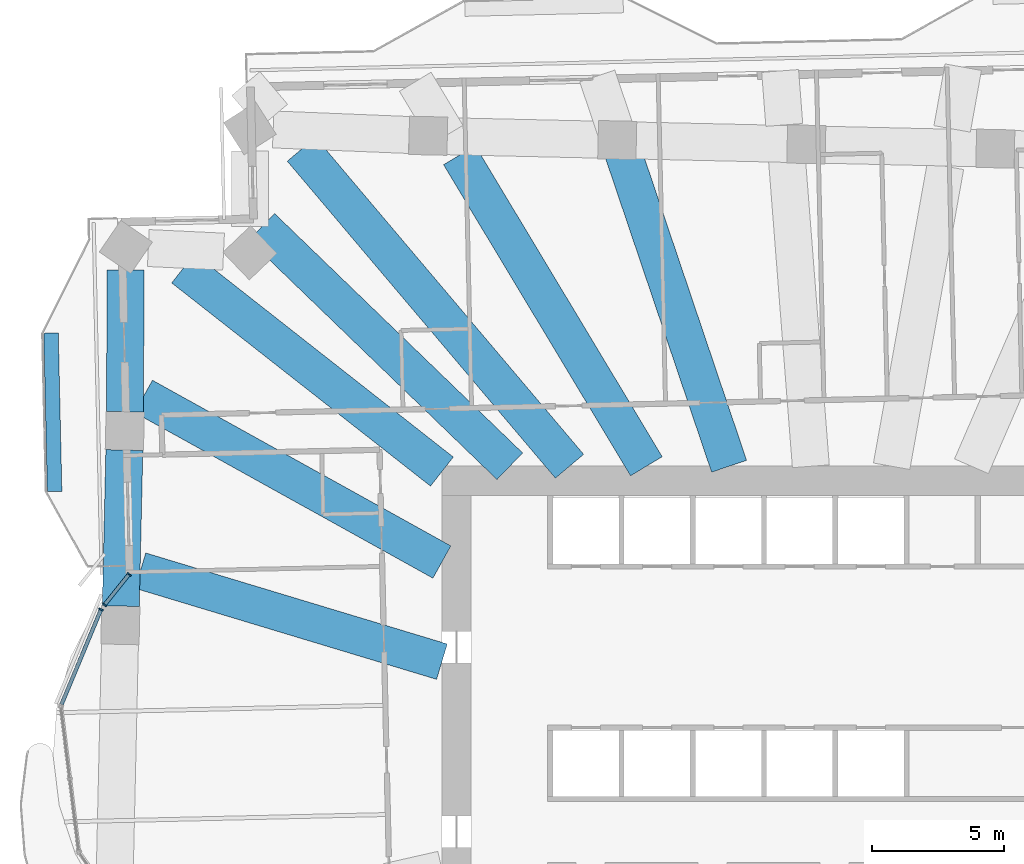
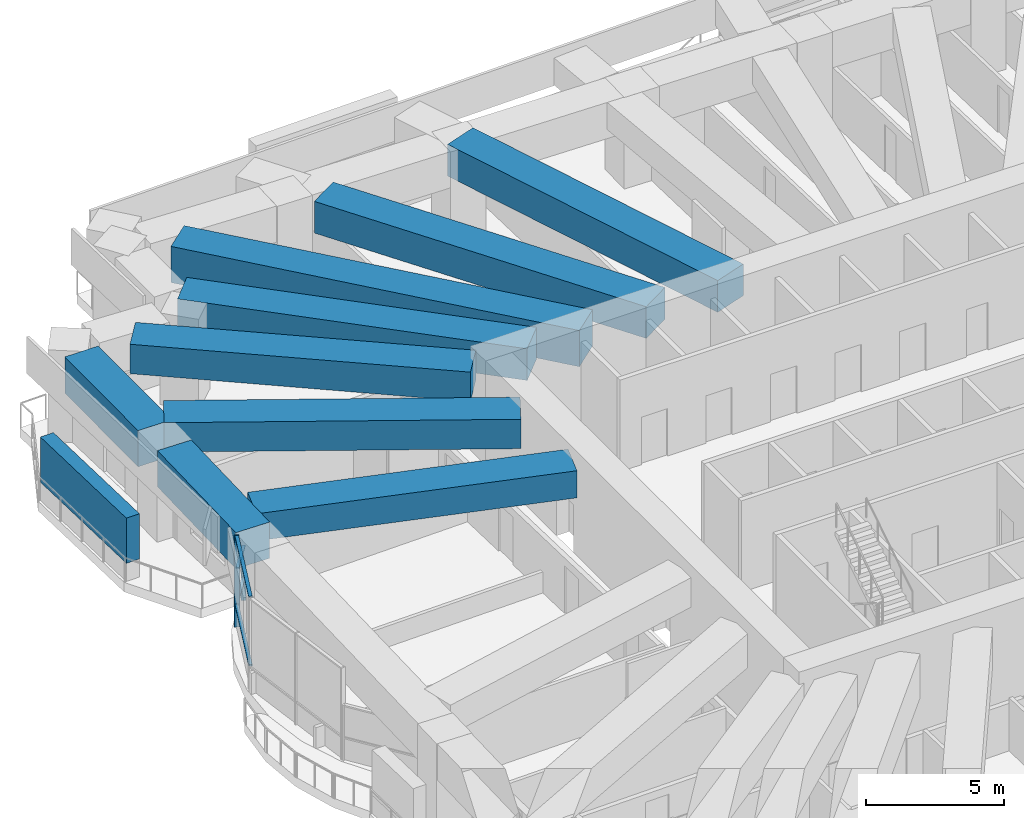
# One storey, part 5 of 20: 9 beams, 8 members, 2 elements without a shape of their own.
"""IFC4 building model written with IfcOpenShell, lengths in metres."""

from ifc_helpers import new_model, si_unit, direction, frame, origin, origin_2d, place, context, subcontext, project, spatial, rectangle, extrude, material, material_profile, profile_set, type_object, element, aggregate, save


model = new_model("IFC4")

# Units and contexts
model_context = context("Model", 3, precision=1e-05, world=origin(), true_north=direction((0.0, 1.0)))
body_context = subcontext(model_context, "Body", "Model", "MODEL_VIEW")
ifc_project = project(units=[si_unit("LENGTHUNIT", "METRE"), si_unit("AREAUNIT", "SQUARE_METRE"), si_unit("VOLUMEUNIT", "CUBIC_METRE"), si_unit("PLANEANGLEUNIT", "RADIAN"), si_unit("MASSUNIT", "GRAM", prefix="KILO")], contexts=[model_context])

# Site, building, storey
site_placement = place(None, origin())
site = spatial("IfcSite", under=ifc_project, at=site_placement, CompositionType="ELEMENT")
building_placement = place(site_placement, origin())
building = spatial("IfcBuilding", under=site, at=building_placement, Name="Mangrove Gate Tower", CompositionType="ELEMENT")
storey_placement = place(building_placement, frame((0.0, 0.0, 74.699951171875)))
storey = spatial("IfcBuildingStorey", under=building, at=storey_placement, Name="L18", CompositionType="ELEMENT", Elevation=74.699951171875)

# Member
ifc_material_1 = material(Name="Planting on aluminium trellis", Category="aluminium")
ifc_material_profile_1 = material_profile(ifc_material_1, rectangle(XDim=0.550048828125, YDim=2.0, at=origin_2d()))
ifc_profile_set_1 = profile_set([ifc_material_profile_1], Name="Planting on aluminium trellis")
member_type_1 = type_object("IfcMemberType", Name="Balcony greenery screen 550x2000", PredefinedType="USERDEFINED", material=ifc_profile_set_1)
member_1_placement = place(storey_placement, frame((-29.570068359375, 10.945068359375, 1.800048828125), z_axis=(-0.022665943652, 0.999743094499, 0.0), x_axis=(-0.999743094499, -0.022665943652, 0.0)))
element("IfcMember", 1, at=member_1_placement, inside=storey, type_object=member_type_1, Name="GREEN SCREEN L18 W0.1", ObjectType="PLANTING", PredefinedType="USERDEFINED", context=body_context, shape_type="SweptSolid", body=[
    extrude(rectangle(XDim=0.550048828125, YDim=2.0, at=origin_2d()), origin(), (0.0, 0.0, 1.0), 5.99951171875),
])

# Curtain wall, members
ifc_material_2 = material(Name="Aluminium and glass curtain wall", Category="aluminium")
curtain_wall_type = type_object("IfcCurtainWallType", Name="Sky-lounge glazing wall", PredefinedType="NOTDEFINED", material=ifc_material_2)
curtain_wall_1_placement = place(storey_placement, origin())
curtain_wall_1 = element("IfcCurtainWall", 2, at=curtain_wall_1_placement, inside=storey, type_object=curtain_wall_type, Name="Sky-lounge glazing W9p1f1", PredefinedType="NOTDEFINED")
ifc_material_3 = material(Name="Aluminium alloy 6063-T6", Category="aluminium")
ifc_material_profile_2 = material_profile(ifc_material_3, rectangle(XDim=0.06005859375, YDim=0.179931640625, at=origin_2d()))
ifc_profile_set_2 = profile_set([ifc_material_profile_2], Name="Aluminium alloy 6063-T6")
member_type_2 = type_object("IfcMemberType", Name="Sky-lounge glazing mullion 60x180", PredefinedType="MULLION", material=ifc_profile_set_2)
member_2_placement = place(storey_placement, frame((-26.752197265625, 7.80615234375, 0.0), z_axis=(0.0, 0.0, 1.0), x_axis=(-0.625547939223, -0.780185731562, 0.0)))
member_2 = element("IfcMember", 3, at=member_2_placement, type_object=member_type_2, Name="CWK mullion 1", PredefinedType="MULLION", context=body_context, shape_type="SweptSolid", body=[
    extrude(rectangle(XDim=0.06005859375, YDim=0.179931640625, at=origin_2d()), origin(), (0.0, 0.0, 1.0), 2.449951171875),
])
member_3_placement = place(storey_placement, frame((-27.678955078125, 6.650146484375, 0.0), z_axis=(0.0, 0.0, 1.0), x_axis=(-0.625547939223, -0.780185731562, 0.0)))
member_3 = element("IfcMember", 4, at=member_3_placement, type_object=member_type_2, Name="CWK mullion 2", PredefinedType="MULLION", context=body_context, shape_type="SweptSolid", body=[
    extrude(rectangle(XDim=0.06005859375, YDim=0.179931640625, at=origin_2d()), origin(), (0.0, 0.0, 1.0), 2.449951171875),
])

# Curtain wall, member
curtain_wall_2_placement = place(storey_placement, origin())
curtain_wall_2 = element("IfcCurtainWall", 5, at=curtain_wall_2_placement, inside=storey, type_object=curtain_wall_type, Name="Sky-lounge glazing W9p2f1", PredefinedType="NOTDEFINED")
member_4_placement = place(storey_placement, frame((-27.811767578125, 6.47119140625, 0.0), z_axis=(0.0, 0.0, 1.0), x_axis=(-0.384582843453, -0.923090481221, 0.0)))
member_4 = element("IfcMember", 6, at=member_4_placement, type_object=member_type_2, Name="CWK mullion 1", PredefinedType="MULLION", context=body_context, shape_type="SweptSolid", body=[
    extrude(rectangle(XDim=0.06005859375, YDim=0.179931640625, at=origin_2d()), origin(), (0.0, 0.0, 1.0), 4.050048828125),
])

# Member
ifc_material_4 = material(Name="Aluminium alloy 6063-T6", Category="aluminium")
ifc_material_profile_3 = material_profile(ifc_material_4, rectangle(XDim=0.06005859375, YDim=0.139892578125, at=origin_2d()))
ifc_profile_set_3 = profile_set([ifc_material_profile_3], Name="Aluminium alloy 6063-T6")
member_type_3 = type_object("IfcMemberType", Name="Sky-lounge glazing transom 60x140", PredefinedType="USERDEFINED", material=ifc_profile_set_3)
member_5_placement = place(storey_placement, frame((-26.77099609375, 7.78271484375, 1.0), z_axis=(-0.625490608585, -0.780231695442, 0.0), x_axis=(0.0, 0.0, 1.0)))
member_5 = element("IfcMember", 7, at=member_5_placement, type_object=member_type_3, Name="CWK transom 1.2", ObjectType="TRANSOM", PredefinedType="USERDEFINED", context=body_context, shape_type="SweptSolid", body=[
    extrude(rectangle(XDim=0.06005859375, YDim=0.139892578125, at=origin_2d()), origin(), (0.0, 0.0, 1.0), 1.421630859375),
])

member_6_placement = place(storey_placement, frame((-26.77099609375, 7.78271484375, 2.420166015625), z_axis=(-0.625490608585, -0.780231695442, 0.0), x_axis=(0.0, 0.0, 1.0)))
member_6 = element("IfcMember", 8, at=member_6_placement, type_object=member_type_3, Name="CWK transom 1.3", ObjectType="TRANSOM", PredefinedType="USERDEFINED", context=body_context, shape_type="SweptSolid", body=[
    extrude(rectangle(XDim=0.06005859375, YDim=0.139892578125, at=origin_2d()), origin(), (0.0, 0.0, 1.0), 1.421630859375),
])

aggregate(curtain_wall_1, [member_2, member_3, member_5, member_6])

member_7_placement = place(storey_placement, frame((-27.8232421875, 6.443603515625, 1.0), z_axis=(-0.384579488933, -0.923091878792, 0.0), x_axis=(0.0, 0.0, 1.0)))
member_7 = element("IfcMember", 9, at=member_7_placement, type_object=member_type_3, Name="CWK transom 1.2", ObjectType="TRANSOM", PredefinedType="USERDEFINED", context=body_context, shape_type="SweptSolid", body=[
    extrude(rectangle(XDim=0.06005859375, YDim=0.139892578125, at=origin_2d()), origin(), (0.0, 0.0, 1.0), 3.863525390625),
])

member_8_placement = place(storey_placement, frame((-27.8232421875, 6.443603515625, 4.02001953125), z_axis=(-0.384579488933, -0.923091878792, 0.0), x_axis=(0.0, 0.0, 1.0)))
member_8 = element("IfcMember", 10, at=member_8_placement, type_object=member_type_3, Name="CWK transom 1.3", ObjectType="TRANSOM", PredefinedType="USERDEFINED", context=body_context, shape_type="SweptSolid", body=[
    extrude(rectangle(XDim=0.06005859375, YDim=0.139892578125, at=origin_2d()), origin(), (0.0, 0.0, 1.0), 3.863525390625),
])

aggregate(curtain_wall_2, [member_4, member_7, member_8])

# Beams
ifc_material_5 = material(Name="Concrete C70/85", Category="concrete")
ifc_material_profile_4 = material_profile(ifc_material_5, rectangle(XDim=1.39990234375, YDim=1.199951171875, at=origin_2d()))
ifc_profile_set_4 = profile_set([ifc_material_profile_4], Name="Concrete C70/85")
beam_type_1 = type_object("IfcBeamType", Name="Transfer girder RC 1400x1200 C70/85", PredefinedType="BEAM", material=ifc_profile_set_4)
beam_1_placement = place(storey_placement, frame((-14.89990234375, 4.498046875, 3.449951171875), z_axis=(-0.957328565545, 0.289001760535, 0.0), x_axis=(-0.289001760535, -0.957328565545, 0.0)))
element("IfcBeam", 11, at=beam_1_placement, inside=storey, type_object=beam_type_1, Name="Transfer girder L18 31", PredefinedType="BEAM", context=body_context, shape_type="SweptSolid", body=[
    extrude(rectangle(XDim=1.39990234375, YDim=1.199951171875, at=origin_2d()), origin(), (0.0, 0.0, 1.0), 11.92822265625),
])
ifc_material_6 = material(Name="Concrete C70/85", Category="concrete")
ifc_material_profile_5 = material_profile(ifc_material_6, rectangle(XDim=1.39990234375, YDim=1.300048828125, at=origin_2d()))
ifc_profile_set_5 = profile_set([ifc_material_profile_5], Name="Concrete C70/85")
beam_type_2 = type_object("IfcBeamType", Name="Transfer girder RC 1400x1300 C70/85", PredefinedType="BEAM", material=ifc_profile_set_5)
beam_2_placement = place(storey_placement, frame((-14.89990234375, 11.697998046875, 3.400146484375), z_axis=(-0.78654463737, 0.617533426969, 0.0), x_axis=(-0.617533426969, -0.78654463737, 0.0)))
element("IfcBeam", 12, at=beam_2_placement, inside=storey, type_object=beam_type_2, Name="Transfer girder L18 29", PredefinedType="BEAM", context=body_context, shape_type="SweptSolid", body=[
    extrude(rectangle(XDim=1.39990234375, YDim=1.300048828125, at=origin_2d()), origin(), (0.0, 0.0, 1.0), 12.46337890625),
])
beam_3_placement = place(storey_placement, frame((-14.89990234375, 8.27197265625, 3.400146484375), z_axis=(-0.874314010835, 0.485360701395, 0.0), x_axis=(-0.485360701395, -0.874314010835, 0.0)))
element("IfcBeam", 13, at=beam_3_placement, inside=storey, type_object=beam_type_2, Name="Transfer girder L18 30", PredefinedType="BEAM", context=body_context, shape_type="SweptSolid", body=[
    extrude(rectangle(XDim=1.39990234375, YDim=1.300048828125, at=origin_2d()), origin(), (0.0, 0.0, 1.0), 12.927734375),
])
ifc_material_7 = material(Name="Concrete C70/85", Category="concrete")
ifc_material_profile_6 = material_profile(ifc_material_7, rectangle(XDim=1.39990234375, YDim=1.39990234375, at=origin_2d()))
ifc_profile_set_6 = profile_set([ifc_material_profile_6], Name="Concrete C70/85")
beam_type_3 = type_object("IfcBeamType", Name="Transfer girder RC 1400x1400 C70/85", PredefinedType="BEAM", material=ifc_profile_set_6)
beam_4_placement = place(storey_placement, frame((-4.021240234375, 11.89990234375, 3.35009765625), z_axis=(-0.320151121802, 0.947366486218, 0.0), x_axis=(-0.947366486218, -0.320151121802, 0.0)))
element("IfcBeam", 14, at=beam_4_placement, inside=storey, type_object=beam_type_3, Name="Transfer girder L18 25", PredefinedType="BEAM", context=body_context, shape_type="SweptSolid", body=[
    extrude(rectangle(XDim=1.39990234375, YDim=1.39990234375, at=origin_2d()), origin(), (0.0, 0.0, 1.0), 13.0400390625),
])
beam_5_placement = place(storey_placement, frame((-7.154296875, 11.89990234375, 3.35009765625), z_axis=(-0.515258194748, 0.857035000887, 0.0), x_axis=(-0.857035000887, -0.515258194748, 0.0)))
element("IfcBeam", 15, at=beam_5_placement, inside=storey, type_object=beam_type_3, Name="Transfer girder L18 26", PredefinedType="BEAM", context=body_context, shape_type="SweptSolid", body=[
    extrude(rectangle(XDim=1.39990234375, YDim=1.39990234375, at=origin_2d()), origin(), (0.0, 0.0, 1.0), 13.74658203125),
])
beam_6_placement = place(storey_placement, frame((-12.328369140625, 11.89990234375, 3.35009765625), z_axis=(-0.719482942323, 0.694510112026, 0.0), x_axis=(-0.694510112026, -0.719482942323, 0.0)))
element("IfcBeam", 16, at=beam_6_placement, inside=storey, type_object=beam_type_3, Name="Transfer girder L18 28", PredefinedType="BEAM", context=body_context, shape_type="SweptSolid", body=[
    extrude(rectangle(XDim=1.39990234375, YDim=1.39990234375, at=origin_2d()), origin(), (0.0, 0.0, 1.0), 13.06103515625),
])
ifc_material_8 = material(Name="Concrete C70/85", Category="concrete")
ifc_material_profile_7 = material_profile(ifc_material_8, rectangle(XDim=1.39990234375, YDim=1.60009765625, at=origin_2d()))
ifc_profile_set_7 = profile_set([ifc_material_profile_7], Name="Concrete C70/85")
beam_type_4 = type_object("IfcBeamType", Name="Transfer girder RC 1400x1600 C70/85", PredefinedType="BEAM", material=ifc_profile_set_7)
beam_7_placement = place(storey_placement, frame((-26.876953125, 19.330078125, 3.25), z_axis=(-0.005777620686, -0.99998330941, 0.0), x_axis=(0.99998330941, -0.005777620686, 0.0)))
element("IfcBeam", 17, at=beam_7_placement, inside=storey, type_object=beam_type_4, Name="Transfer ring girder L18 31", PredefinedType="BEAM", context=body_context, shape_type="SweptSolid", body=[
    extrude(rectangle(XDim=1.39990234375, YDim=1.60009765625, at=origin_2d()), origin(), (0.0, 0.0, 1.0), 5.366455078125),
])
beam_8_placement = place(storey_placement, frame((-26.9287109375, 12.513671875, 3.25), z_axis=(-0.022667944244, -0.99974304914, 0.0), x_axis=(0.99974304914, -0.022667944244, 0.0)))
element("IfcBeam", 18, at=beam_8_placement, inside=storey, type_object=beam_type_4, Name="Transfer ring girder L18 32", PredefinedType="BEAM", context=body_context, shape_type="SweptSolid", body=[
    extrude(rectangle(XDim=1.39990234375, YDim=1.60009765625, at=origin_2d()), origin(), (0.0, 0.0, 1.0), 5.912841796875),
])
beam_9_placement = place(storey_placement, frame((-10.06640625, 11.89990234375, 3.25), z_axis=(-0.645833670677, 0.763478139713, 0.0), x_axis=(-0.763478139713, -0.645833670677, 0.0)))
element("IfcBeam", 19, at=beam_9_placement, inside=storey, type_object=beam_type_4, Name="Transfer girder L18 27", PredefinedType="BEAM", context=body_context, shape_type="SweptSolid", body=[
    extrude(rectangle(XDim=1.39990234375, YDim=1.60009765625, at=origin_2d()), origin(), (0.0, 0.0, 1.0), 15.72607421875),
])

save(model, "model.ifc")
